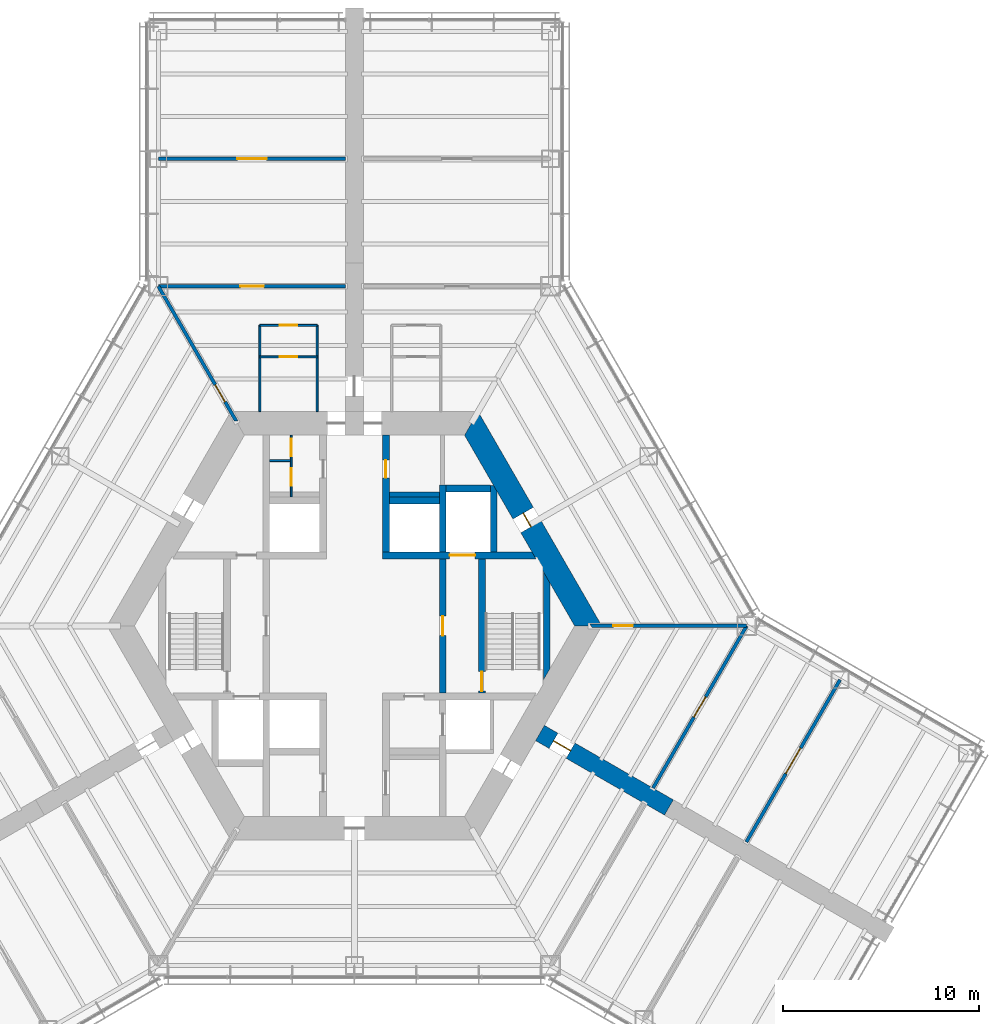
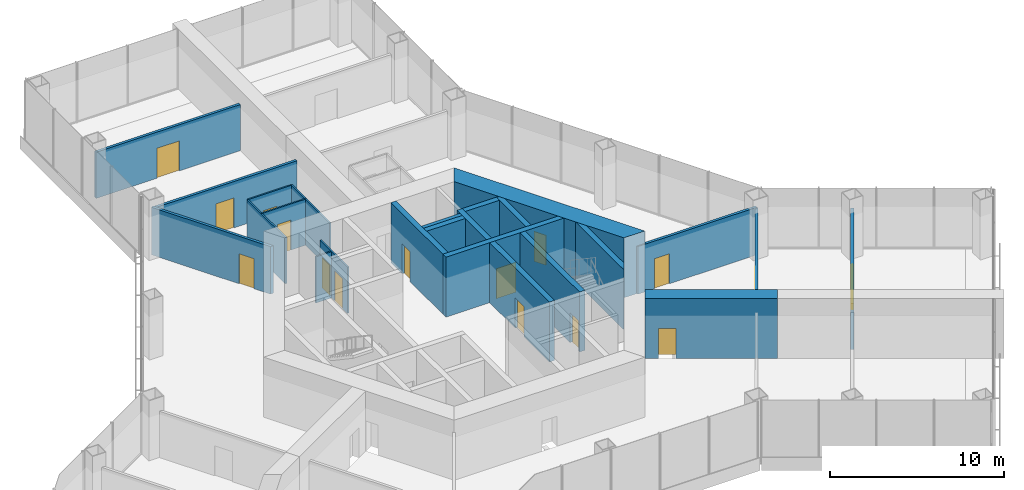
# One storey, part 12 of 15: 24 walls, 16 doors, 16 openings.
"""IFC4 building model written with IfcOpenShell, lengths in metres."""

from ifc_helpers import new_model, si_unit, direction, frame, frame_2d, origin, place, context, subcontext, project, spatial, polyline, rectangle, outline, extrude, material, layer, layer_set, type_object, element, fill, save


model = new_model("IFC4")

# Units and contexts
model_context = context("Model", 3, precision=1e-05, world=origin(), true_north=direction((0.0, 1.0)))
body_context = subcontext(model_context, "Body", "Model", "MODEL_VIEW")
ifc_project = project(units=[si_unit("LENGTHUNIT", "METRE"), si_unit("AREAUNIT", "SQUARE_METRE"), si_unit("VOLUMEUNIT", "CUBIC_METRE"), si_unit("PLANEANGLEUNIT", "RADIAN"), si_unit("MASSUNIT", "GRAM", prefix="KILO")], contexts=[model_context])

# Site, building, storey
site_placement = place(None, origin())
site = spatial("IfcSite", under=ifc_project, at=site_placement, CompositionType="ELEMENT")
building_placement = place(site_placement, origin())
building = spatial("IfcBuilding", under=site, at=building_placement, Name="Kasaneha Research Tower", CompositionType="ELEMENT")
storey_placement = place(building_placement, frame((0.0, 0.0, 39.39990234375)))
storey = spatial("IfcBuildingStorey", under=building, at=storey_placement, Name="L10", CompositionType="ELEMENT", Elevation=39.39990234375)

# Wall, opening, door
ifc_material_1 = material(Name="Concrete Fc100", Category="concrete")
ifc_layer_1 = layer(ifc_material_1, 0.35009765625)
ifc_layer_set_1 = layer_set([ifc_layer_1], Name="Core internal wall 350 Fc100")
wall_type_1 = type_object("IfcWallType", Name="Core internal wall 350 Fc100", PredefinedType="SHEAR", material=ifc_layer_set_1)
wall_1_placement = place(storey_placement, frame((1.425048828125, 3.60009765625, 0.0), z_axis=(0.0, 0.0, 1.0), x_axis=(1.0, 0.0, 0.0)))
wall_1 = element("IfcWall", 1, at=wall_1_placement, inside=storey, type_object=wall_type_1, Name="Core wall W1E L10", PredefinedType="SHEAR", context=body_context, shape_type="SweptSolid", body=[
    extrude(outline(polyline([(0.0, -0.175048828125), (3.425048828125, -0.175048828125), (4.72509765625, -0.175048828125), (7.8271484375, -0.175048828125), (7.625, 0.175048828125), (4.72509765625, 0.175048828125), (3.425048828125, 0.175048828125), (0.0, 0.175048828125), (0.0, -0.175048828125)])), origin(), (0.0, 0.0, 1.0), 4.2001953125),
])
opening_1_placement = place(wall_1_placement, frame((3.425048828125, 0.0, 0.0)))
opening_1 = element("IfcOpeningElement", 2, at=opening_1_placement, cuts=wall_1, Name="Opening LD-FL1-L10", PredefinedType="OPENING", context=body_context, shape_type="SweptSolid", body=[
    extrude(rectangle(XDim=1.300048828125, YDim=2.10009765625, at=frame_2d((0.64990234375, 1.050048828125))), frame((0.0, 0.18505859375, 0.0), z_axis=(0.0, -1.0, 0.0), x_axis=(1.0, 0.0, 0.0)), (0.0, 0.0, 1.0), 0.3701171875),
])
ifc_material_2 = material(Name="Steel", Category="steel")
door_type_1 = type_object("IfcDoorType", Name="Lift landing door 1300x2100", OperationType="DOUBLE_DOOR_SLIDING", PredefinedType="DOOR", material=ifc_material_2)
door_1_placement = place(opening_1_placement, origin())
door_1 = element("IfcDoor", 3, at=door_1_placement, inside=storey, type_object=door_type_1, Name="Landing door FL1 LD-FL1-L10", OperationType="DOUBLE_DOOR_SLIDING", OverallHeight=2.10009765625, OverallWidth=1.300048828125, PredefinedType="DOOR", context=body_context, shape_type="SweptSolid", body=[
    extrude(rectangle(XDim=1.300048828125, YDim=2.10009765625, at=frame_2d((0.64990234375, 1.050048828125))), frame((0.0, 0.02490234375, 0.0), z_axis=(0.0, -1.0, 0.0), x_axis=(1.0, 0.0, 0.0)), (0.0, 0.0, 1.0), 0.050048828125),
])
fill(opening_1, door_1)

wall_2_placement = place(storey_placement, frame((1.60009765625, 3.77490234375, 0.0), z_axis=(0.0, 0.0, 1.0), x_axis=(0.0, 1.0, 0.0)))
wall_2 = element("IfcWall", 4, at=wall_2_placement, inside=storey, type_object=wall_type_1, Name="Core wall CNE L10", PredefinedType="SHEAR", context=body_context, shape_type="SweptSolid", body=[
    extrude(rectangle(XDim=5.9501953125, YDim=0.35009765625, at=frame_2d((2.97509765625, 0.0))), origin(), (0.0, 0.0, 1.0), 4.2001953125),
])
opening_2_placement = place(wall_2_placement, frame((3.77490234375, 0.0, 0.0)))
opening_2 = element("IfcOpeningElement", 5, at=opening_2_placement, cuts=wall_2, Name="Opening L10-D14", PredefinedType="OPENING", context=body_context, shape_type="SweptSolid", body=[
    extrude(rectangle(XDim=0.89990234375, YDim=2.10009765625, at=frame_2d((0.449951171875, 1.050048828125))), frame((0.0, 0.18505859375, 0.0), z_axis=(0.0, -1.0, 0.0), x_axis=(1.0, 0.0, 0.0)), (0.0, 0.0, 1.0), 0.3701171875),
])
ifc_material_3 = material(Name="Steel", Category="steel")
door_type_2 = type_object("IfcDoorType", Name="Toilet door FD20 900x2100", OperationType="NOTDEFINED", PredefinedType="DOOR", material=ifc_material_3)
door_2_placement = place(opening_2_placement, origin())
door_2 = element("IfcDoor", 6, at=door_2_placement, inside=storey, type_object=door_type_2, Name="Women's WC door L10-D14", OperationType="SINGLE_SWING_LEFT", OverallHeight=2.10009765625, OverallWidth=0.89990234375, PredefinedType="DOOR", context=body_context, shape_type="SweptSolid", body=[
    extrude(rectangle(XDim=0.89990234375, YDim=2.10009765625, at=frame_2d((0.449951171875, 1.050048828125))), frame((0.0, 0.02490234375, 0.0), z_axis=(0.0, -1.0, 0.0), x_axis=(1.0, 0.0, 0.0)), (0.0, 0.0, 1.0), 0.050048828125),
])
fill(opening_2, door_2)

wall_3_placement = place(storey_placement, frame((4.5, -3.425048828125, 0.0), z_axis=(0.0, 0.0, 1.0), x_axis=(0.0, 1.0, 0.0)))
wall_3 = element("IfcWall", 7, at=wall_3_placement, inside=storey, type_object=wall_type_1, Name="Core wall LBE L10", PredefinedType="SHEAR", context=body_context, shape_type="SweptSolid", body=[
    extrude(rectangle(XDim=6.85009765625, YDim=0.35009765625, at=frame_2d((3.425048828125, 0.0))), origin(), (0.0, 0.0, 1.0), 4.2001953125),
])
opening_3_placement = place(wall_3_placement, frame((2.925048828125, 0.0, 0.0)))
opening_3 = element("IfcOpeningElement", 8, at=opening_3_placement, cuts=wall_3, Name="Opening L10-D08", PredefinedType="OPENING", context=body_context, shape_type="SweptSolid", body=[
    extrude(rectangle(XDim=1.0, YDim=2.10009765625, at=frame_2d((0.5, 1.050048828125))), frame((0.0, 0.18505859375, 0.0), z_axis=(0.0, -1.0, 0.0), x_axis=(1.0, 0.0, 0.0)), (0.0, 0.0, 1.0), 0.3701171875),
])
ifc_material_4 = material(Name="Steel", Category="steel")
door_type_3 = type_object("IfcDoorType", Name="Specified fire door FD60 1000x2100", OperationType="NOTDEFINED", PredefinedType="DOOR", material=ifc_material_4)
door_3_placement = place(opening_3_placement, origin())
door_3 = element("IfcDoor", 9, at=door_3_placement, inside=storey, type_object=door_type_3, Name="Lift lobby door east L10-D08", OperationType="SINGLE_SWING_LEFT", OverallHeight=2.10009765625, OverallWidth=1.0, PredefinedType="DOOR", context=body_context, shape_type="SweptSolid", body=[
    extrude(rectangle(XDim=1.0, YDim=2.10009765625, at=frame_2d((0.5, 1.050048828125))), frame((0.0, 0.02490234375, 0.0), z_axis=(0.0, -1.0, 0.0), x_axis=(1.0, 0.0, 0.0)), (0.0, 0.0, 1.0), 0.050048828125),
])
fill(opening_3, door_3)

wall_4_placement = place(storey_placement, frame((6.5, -3.425048828125, 0.0), z_axis=(0.0, 0.0, 1.0), x_axis=(0.0, 1.0, 0.0)))
wall_4 = element("IfcWall", 10, at=wall_4_placement, inside=storey, type_object=wall_type_1, Name="Core wall ANE L10", PredefinedType="SHEAR", context=body_context, shape_type="SweptSolid", body=[
    extrude(rectangle(XDim=6.85009765625, YDim=0.35009765625, at=frame_2d((3.425048828125, 0.0))), origin(), (0.0, 0.0, 1.0), 4.2001953125),
])
opening_4_placement = place(wall_4_placement, frame((0.10009765625, 0.0, 0.0)))
opening_4 = element("IfcOpeningElement", 11, at=opening_4_placement, cuts=wall_4, Name="Opening L10-D10", PredefinedType="OPENING", context=body_context, shape_type="SweptSolid", body=[
    extrude(rectangle(XDim=1.0, YDim=2.10009765625, at=frame_2d((0.5, 1.050048828125))), frame((0.0, 0.18505859375, 0.0), z_axis=(0.0, -1.0, 0.0), x_axis=(1.0, 0.0, 0.0)), (0.0, 0.0, 1.0), 0.3701171875),
])
door_4_placement = place(opening_4_placement, origin())
door_4 = element("IfcDoor", 12, at=door_4_placement, inside=storey, type_object=door_type_3, Name="Stair 1 door L10-D10", OperationType="SINGLE_SWING_LEFT", OverallHeight=2.10009765625, OverallWidth=1.0, PredefinedType="DOOR", context=body_context, shape_type="SweptSolid", body=[
    extrude(rectangle(XDim=1.0, YDim=2.10009765625, at=frame_2d((0.5, 1.050048828125))), frame((0.0, 0.02490234375, 0.0), z_axis=(0.0, -1.0, 0.0), x_axis=(1.0, 0.0, 0.0)), (0.0, 0.0, 1.0), 0.050048828125),
])
fill(opening_4, door_4)

# Walls
wall_5_placement = place(storey_placement, frame((4.5, 3.77490234375, 0.0), z_axis=(0.0, 0.0, 1.0), x_axis=(0.0, 1.0, 0.0)))
element("IfcWall", 13, at=wall_5_placement, inside=storey, type_object=wall_type_1, Name="Core wall FNE L10", PredefinedType="SHEAR", context=body_context, shape_type="SweptSolid", body=[
    extrude(rectangle(XDim=3.400146484375, YDim=0.35009765625, at=frame_2d((1.7001953125, 0.0))), origin(), (0.0, 0.0, 1.0), 4.2001953125),
])
wall_6_placement = place(storey_placement, frame((1.77490234375, 6.39990234375, 0.0), z_axis=(0.0, 0.0, 1.0), x_axis=(1.0, 0.0, 0.0)))
element("IfcWall", 14, at=wall_6_placement, inside=storey, type_object=wall_type_1, Name="Core wall N3N L10", PredefinedType="SHEAR", context=body_context, shape_type="SweptSolid", body=[
    extrude(rectangle(XDim=2.550048828125, YDim=0.35009765625, at=frame_2d((1.27490234375, 0.0))), origin(), (0.0, 0.0, 1.0), 4.2001953125),
])
wall_7_placement = place(storey_placement, frame((4.675048828125, 7.0, 0.0), z_axis=(0.0, 0.0, 1.0), x_axis=(1.0, 0.0, 0.0)))
element("IfcWall", 15, at=wall_7_placement, inside=storey, type_object=wall_type_1, Name="Core wall F1N L10", PredefinedType="SHEAR", context=body_context, shape_type="SweptSolid", body=[
    extrude(rectangle(XDim=2.25, YDim=0.35009765625, at=frame_2d((1.125, 0.0))), origin(), (0.0, 0.0, 1.0), 4.2001953125),
])
wall_8_placement = place(storey_placement, frame((7.10009765625, 3.77490234375, 0.0), z_axis=(0.0, 0.0, 1.0), x_axis=(0.0, 1.0, 0.0)))
element("IfcWall", 16, at=wall_8_placement, inside=storey, type_object=wall_type_1, Name="Core wall F1E L10", PredefinedType="SHEAR", context=body_context, shape_type="SweptSolid", body=[
    extrude(outline(polyline([(0.0, -0.175048828125), (3.07421875, -0.175048828125), (3.37744140625, 0.0), (3.39990234375, 0.175048828125), (0.0, 0.175048828125), (0.0, -0.175048828125)])), origin(), (0.0, 0.0, 1.0), 4.2001953125),
])
wall_9_placement = place(storey_placement, frame((9.807861328125, -2.462158203125, 0.0), z_axis=(0.0, 0.0, 1.0), x_axis=(0.0, 1.0, 0.0)))
element("IfcWall", 17, at=wall_9_placement, inside=storey, type_object=wall_type_1, Name="Core wall STE L10", PredefinedType="SHEAR", context=body_context, shape_type="SweptSolid", body=[
    extrude(outline(polyline([(0.30322265625, -0.175048828125), (4.62109375, -0.175048828125), (5.2275390625, 0.175048828125), (-0.30322265625, 0.175048828125), (0.30322265625, -0.175048828125)])), origin(), (0.0, 0.0, 1.0), 4.2001953125),
])

# Wall, opening, door
ifc_material_5 = material(Name="Concrete Fc100", Category="concrete")
ifc_layer_2 = layer(ifc_material_5, 1.199951171875)
ifc_layer_set_2 = layer_set([ifc_layer_2], Name="Core wall 1200 Fc100")
wall_type_2 = type_object("IfcWallType", Name="Core wall 1200 Fc100", PredefinedType="SHEAR", material=ifc_layer_set_2)
wall_10_placement = place(storey_placement, frame((11.92236328125, 0.0, 0.0), z_axis=(0.0, 0.0, 1.0), x_axis=(-0.500004296715, 0.866022923061, 0.0)))
wall_10 = element("IfcWall", 18, at=wall_10_placement, inside=storey, type_object=wall_type_2, Name="Core wall 030 L10", PredefinedType="SHEAR", context=body_context, shape_type="SweptSolid", body=[
    extrude(outline(polyline([(-0.346435546875, -0.60009765625), (5.83544921875, -0.60009765625), (6.635498046875, -0.60009765625), (12.268798828125, -0.60009765625), (11.575927734375, 0.60009765625), (6.635498046875, 0.60009765625), (5.83544921875, 0.60009765625), (0.346435546875, 0.60009765625), (-0.346435546875, -0.60009765625)])), origin(), (0.0, 0.0, 1.0), 4.2001953125),
])
opening_5_placement = place(wall_10_placement, frame((5.83544921875, 0.0, 0.0)))
opening_5 = element("IfcOpeningElement", 19, at=opening_5_placement, cuts=wall_10, Name="Opening L10-D04", PredefinedType="OPENING", context=body_context, shape_type="SweptSolid", body=[
    extrude(rectangle(XDim=0.800048828125, YDim=2.10009765625, at=frame_2d((0.39990234375, 1.050048828125))), frame((0.0, 0.60986328125, 0.0), z_axis=(0.0, -1.0, 0.0), x_axis=(1.0, 0.0, 0.0)), (0.0, 0.0, 1.0), 1.219970703125),
])
ifc_material_6 = material(Name="Steel", Category="steel")
door_type_4 = type_object("IfcDoorType", Name="Riser access door FD60 800x2100", OperationType="NOTDEFINED", PredefinedType="DOOR", material=ifc_material_6)
door_5_placement = place(opening_5_placement, origin())
door_5 = element("IfcDoor", 20, at=door_5_placement, inside=storey, type_object=door_type_4, Name="Pipe riser door L10-D04", OperationType="SINGLE_SWING_RIGHT", OverallHeight=2.10009765625, OverallWidth=0.800048828125, PredefinedType="DOOR", context=body_context, shape_type="SweptSolid", body=[
    extrude(rectangle(XDim=0.800048828125, YDim=2.10009765625, at=frame_2d((0.39990234375, 1.050048828125))), frame((0.0, 0.02490234375, 0.0), z_axis=(0.0, -1.0, 0.0), x_axis=(1.0, 0.0, 0.0)), (0.0, 0.0, 1.0), 0.050048828125),
])
fill(opening_5, door_5)

ifc_material_7 = material(Name="Gypsum board on steel studs, two layers each side", Category="steel")
ifc_layer_3 = layer(ifc_material_7, 0.175048828125)
ifc_layer_set_3 = layer_set([ifc_layer_3], Name="Laboratory fire partition 175")
wall_type_3 = type_object("IfcWallType", Name="Laboratory fire partition 175", PredefinedType="PARTITIONING", material=ifc_layer_set_3)
wall_11_placement = place(storey_placement, frame((-0.449951171875, 17.320556640625, 0.0), z_axis=(0.0, 0.0, 1.0), x_axis=(-1.0, 0.0, 0.0)))
wall_11 = element("IfcWall", 21, at=wall_11_placement, inside=storey, type_object=wall_type_3, Name="Laboratory fire partition LABA-W L10", PredefinedType="PARTITIONING", context=body_context, shape_type="SweptSolid", body=[
    extrude(rectangle(XDim=9.550048828125, YDim=0.175048828125, at=frame_2d((4.77490234375, 0.0))), origin(), (0.0, 0.0, 1.0), 3.238037109375),
])
opening_6_placement = place(wall_11_placement, frame((4.175048828125, 0.0, 0.0)))
opening_6 = element("IfcOpeningElement", 22, at=opening_6_placement, cuts=wall_11, Name="Opening L10-D31", PredefinedType="OPENING", context=body_context, shape_type="SweptSolid", body=[
    extrude(rectangle(XDim=1.199951171875, YDim=2.10009765625, at=frame_2d((0.60009765625, 1.050048828125))), frame((0.0, 0.09765625, 0.0), z_axis=(0.0, -1.0, 0.0), x_axis=(1.0, 0.0, 0.0)), (0.0, 0.0, 1.0), 0.195068359375),
])
ifc_material_8 = material(Name="Steel", Category="steel")
door_type_5 = type_object("IfcDoorType", Name="Laboratory door FD60 1200x2100", OperationType="DOUBLE_DOOR_SINGLE_SWING", PredefinedType="DOOR", material=ifc_material_8)
door_6_placement = place(opening_6_placement, origin())
door_6 = element("IfcDoor", 23, at=door_6_placement, inside=storey, type_object=door_type_5, Name="Laboratory door L10-D31", OperationType="DOUBLE_DOOR_SINGLE_SWING", OverallHeight=2.10009765625, OverallWidth=1.199951171875, PredefinedType="DOOR", context=body_context, shape_type="SweptSolid", body=[
    extrude(rectangle(XDim=1.199951171875, YDim=2.10009765625, at=frame_2d((0.60009765625, 1.050048828125))), frame((0.0, 0.02490234375, 0.0), z_axis=(0.0, -1.0, 0.0), x_axis=(1.0, 0.0, 0.0)), (0.0, 0.0, 1.0), 0.050048828125),
])
fill(opening_6, door_6)

wall_12_placement = place(storey_placement, frame((-0.449951171875, 23.820556640625, 0.0), z_axis=(0.0, 0.0, 1.0), x_axis=(-1.0, 0.0, 0.0)))
wall_12 = element("IfcWall", 24, at=wall_12_placement, inside=storey, type_object=wall_type_3, Name="Laboratory fire partition INSA-W L10", PredefinedType="PARTITIONING", context=body_context, shape_type="SweptSolid", body=[
    extrude(rectangle(XDim=9.550048828125, YDim=0.175048828125, at=frame_2d((4.77490234375, 0.0))), origin(), (0.0, 0.0, 1.0), 3.22998046875),
])
opening_7_placement = place(wall_12_placement, frame((4.02490234375, 0.0, 0.0)))
opening_7 = element("IfcOpeningElement", 25, at=opening_7_placement, cuts=wall_12, Name="Opening L10-D32", PredefinedType="OPENING", context=body_context, shape_type="SweptSolid", body=[
    extrude(rectangle(XDim=1.5, YDim=2.10009765625, at=frame_2d((0.75, 1.050048828125))), frame((0.0, 0.09765625, 0.0), z_axis=(0.0, -1.0, 0.0), x_axis=(1.0, 0.0, 0.0)), (0.0, 0.0, 1.0), 0.195068359375),
])
ifc_material_9 = material(Name="Steel", Category="steel")
door_type_6 = type_object("IfcDoorType", Name="Laboratory door FD60 1500x2100", OperationType="DOUBLE_DOOR_SINGLE_SWING", PredefinedType="DOOR", material=ifc_material_9)
door_7_placement = place(opening_7_placement, origin())
door_7 = element("IfcDoor", 26, at=door_7_placement, inside=storey, type_object=door_type_6, Name="Instrument room door L10-D32", OperationType="DOUBLE_DOOR_SINGLE_SWING", OverallHeight=2.10009765625, OverallWidth=1.5, PredefinedType="DOOR", context=body_context, shape_type="SweptSolid", body=[
    extrude(rectangle(XDim=1.5, YDim=2.10009765625, at=frame_2d((0.75, 1.050048828125))), frame((0.0, 0.02490234375, 0.0), z_axis=(0.0, -1.0, 0.0), x_axis=(1.0, 0.0, 0.0)), (0.0, 0.0, 1.0), 0.050048828125),
])
fill(opening_7, door_7)

wall_13_placement = place(storey_placement, frame((15.22509765625, -8.2705078125, 0.0), z_axis=(0.0, 0.0, 1.0), x_axis=(0.499993908199, 0.866028920859, 0.0)))
wall_13 = element("IfcWall", 27, at=wall_13_placement, inside=storey, type_object=wall_type_3, Name="Laboratory fire partition LABC-E L10", PredefinedType="PARTITIONING", context=body_context, shape_type="SweptSolid", body=[
    extrude(rectangle(XDim=9.5498046875, YDim=0.175048828125, at=frame_2d((4.77490234375, 0.0))), origin(), (0.0, 0.0, 1.0), 3.238037109375),
])
opening_8_placement = place(wall_13_placement, frame((4.175048828125, 0.0, 0.0)))
opening_8 = element("IfcOpeningElement", 28, at=opening_8_placement, cuts=wall_13, Name="Opening L10-D37", PredefinedType="OPENING", context=body_context, shape_type="SweptSolid", body=[
    extrude(rectangle(XDim=1.199951171875, YDim=2.10009765625, at=frame_2d((0.60009765625, 1.050048828125))), frame((0.0, 0.09765625, 0.0), z_axis=(0.0, -1.0, 0.0), x_axis=(1.0, 0.0, 0.0)), (0.0, 0.0, 1.0), 0.195068359375),
])
door_8_placement = place(opening_8_placement, origin())
door_8 = element("IfcDoor", 29, at=door_8_placement, inside=storey, type_object=door_type_5, Name="Laboratory door L10-D37", OperationType="DOUBLE_DOOR_SINGLE_SWING", OverallHeight=2.10009765625, OverallWidth=1.199951171875, PredefinedType="DOOR", context=body_context, shape_type="SweptSolid", body=[
    extrude(rectangle(XDim=1.199951171875, YDim=2.10009765625, at=frame_2d((0.60009765625, 1.050048828125))), frame((0.0, 0.02490234375, 0.0), z_axis=(0.0, -1.0, 0.0), x_axis=(1.0, 0.0, 0.0)), (0.0, 0.0, 1.0), 0.050048828125),
])
fill(opening_8, door_8)

wall_14_placement = place(storey_placement, frame((19.988037109375, -11.0205078125, 0.0), z_axis=(0.0, 0.0, 1.0), x_axis=(0.500013081493, 0.866017851049, 0.0)))
wall_14 = element("IfcWall", 30, at=wall_14_placement, inside=storey, type_object=wall_type_3, Name="Laboratory fire partition INSC-E L10", PredefinedType="PARTITIONING", context=body_context, shape_type="SweptSolid", body=[
    extrude(rectangle(XDim=9.550048828125, YDim=0.175048828125, at=frame_2d((4.77490234375, 0.0))), origin(), (0.0, 0.0, 1.0), 3.22998046875),
])
opening_9_placement = place(wall_14_placement, frame((4.02490234375, 0.0, 0.0)))
opening_9 = element("IfcOpeningElement", 31, at=opening_9_placement, cuts=wall_14, Name="Opening L10-D38", PredefinedType="OPENING", context=body_context, shape_type="SweptSolid", body=[
    extrude(rectangle(XDim=1.5, YDim=2.10009765625, at=frame_2d((0.75, 1.050048828125))), frame((0.0, 0.09765625, 0.0), z_axis=(0.0, -1.0, 0.0), x_axis=(1.0, 0.0, 0.0)), (0.0, 0.0, 1.0), 0.195068359375),
])
door_9_placement = place(opening_9_placement, origin())
door_9 = element("IfcDoor", 32, at=door_9_placement, inside=storey, type_object=door_type_6, Name="Instrument room door L10-D38", OperationType="DOUBLE_DOOR_SINGLE_SWING", OverallHeight=2.10009765625, OverallWidth=1.5, PredefinedType="DOOR", context=body_context, shape_type="SweptSolid", body=[
    extrude(rectangle(XDim=1.5, YDim=2.10009765625, at=frame_2d((0.75, 1.050048828125))), frame((0.0, 0.02490234375, 0.0), z_axis=(0.0, -1.0, 0.0), x_axis=(1.0, 0.0, 0.0)), (0.0, 0.0, 1.0), 0.050048828125),
])
fill(opening_9, door_9)

# Wall, openings, doors
ifc_material_10 = material(Name="Gypsum board on steel studs, one layer each side", Category="steel")
ifc_layer_4 = layer(ifc_material_10, 0.10009765625)
ifc_layer_set_4 = layer_set([ifc_layer_4], Name="Office partition 100")
wall_type_4 = type_object("IfcWallType", Name="Office partition 100", PredefinedType="PARTITIONING", material=ifc_layer_set_4)
wall_15_placement = place(storey_placement, frame((-3.22509765625, 6.574951171875, 0.0), z_axis=(0.0, 0.0, 1.0), x_axis=(0.0, 1.0, 0.0)))
wall_15 = element("IfcWall", 33, at=wall_15_placement, inside=storey, type_object=wall_type_4, Name="Office partition TBM1 L10", PredefinedType="PARTITIONING", context=body_context, shape_type="SweptSolid", body=[
    extrude(rectangle(XDim=3.150146484375, YDim=0.10009765625, at=frame_2d((1.5751953125, 0.0))), origin(), (0.0, 0.0, 1.0), 3.22998046875),
])
opening_10_placement = place(wall_15_placement, frame((0.574951171875, 0.0, 0.0)))
opening_10 = element("IfcOpeningElement", 34, at=opening_10_placement, cuts=wall_15, Name="Opening L10-D20", PredefinedType="OPENING", context=body_context, shape_type="SweptSolid", body=[
    extrude(rectangle(XDim=0.89990234375, YDim=2.10009765625, at=frame_2d((0.449951171875, 1.050048828125))), frame((0.0, 0.06005859375, 0.0), z_axis=(0.0, -1.0, 0.0), x_axis=(1.0, 0.0, 0.0)), (0.0, 0.0, 1.0), 0.1201171875),
])
opening_11_placement = place(wall_15_placement, frame((2.074951171875, 0.0, 0.0)))
opening_11 = element("IfcOpeningElement", 35, at=opening_11_placement, cuts=wall_15, Name="Opening L10-D21", PredefinedType="OPENING", context=body_context, shape_type="SweptSolid", body=[
    extrude(rectangle(XDim=0.89990234375, YDim=2.10009765625, at=frame_2d((0.449951171875, 1.050048828125))), frame((0.0, 0.06005859375, 0.0), z_axis=(0.0, -1.0, 0.0), x_axis=(1.0, 0.0, 0.0)), (0.0, 0.0, 1.0), 0.1201171875),
])
ifc_material_11 = material(Name="Steel", Category="steel")
door_type_7 = type_object("IfcDoorType", Name="Toilet lobby door FD30 900x2100", OperationType="NOTDEFINED", PredefinedType="DOOR", material=ifc_material_11)
door_10_placement = place(opening_10_placement, origin())
door_10 = element("IfcDoor", 36, at=door_10_placement, inside=storey, type_object=door_type_7, Name="Men's WC door L10-D20", OperationType="SINGLE_SWING_RIGHT", OverallHeight=2.10009765625, OverallWidth=0.89990234375, PredefinedType="DOOR", context=body_context, shape_type="SweptSolid", body=[
    extrude(rectangle(XDim=0.89990234375, YDim=2.10009765625, at=frame_2d((0.449951171875, 1.050048828125))), frame((0.0, 0.02490234375, 0.0), z_axis=(0.0, -1.0, 0.0), x_axis=(1.0, 0.0, 0.0)), (0.0, 0.0, 1.0), 0.050048828125),
])
fill(opening_10, door_10)
door_11_placement = place(opening_11_placement, origin())
door_11 = element("IfcDoor", 37, at=door_11_placement, inside=storey, type_object=door_type_7, Name="Cleaner's store door L10-D21", OperationType="SINGLE_SWING_RIGHT", OverallHeight=2.10009765625, OverallWidth=0.89990234375, PredefinedType="DOOR", context=body_context, shape_type="SweptSolid", body=[
    extrude(rectangle(XDim=0.89990234375, YDim=2.10009765625, at=frame_2d((0.449951171875, 1.050048828125))), frame((0.0, 0.02490234375, 0.0), z_axis=(0.0, -1.0, 0.0), x_axis=(1.0, 0.0, 0.0)), (0.0, 0.0, 1.0), 0.050048828125),
])
fill(opening_11, door_11)

# Wall
wall_16_placement = place(storey_placement, frame((-3.27490234375, 8.425048828125, 0.0), z_axis=(0.0, 0.0, 1.0), x_axis=(-1.0, 0.0, 0.0)))
element("IfcWall", 38, at=wall_16_placement, inside=storey, type_object=wall_type_4, Name="Office partition TBM2 L10", PredefinedType="PARTITIONING", context=body_context, shape_type="SweptSolid", body=[
    extrude(rectangle(XDim=1.050048828125, YDim=0.10009765625, at=frame_2d((0.52490234375, 0.0))), origin(), (0.0, 0.0, 1.0), 3.22998046875),
])

# Wall, opening, door
wall_17_placement = place(storey_placement, frame((-4.82861328125, 13.72509765625, 0.0), z_axis=(0.0, 0.0, 1.0), x_axis=(1.0, 0.0, 0.0)))
wall_17 = element("IfcWall", 39, at=wall_17_placement, inside=storey, type_object=wall_type_4, Name="Office partition WCAW1 L10", PredefinedType="PARTITIONING", context=body_context, shape_type="SweptSolid", body=[
    extrude(rectangle(XDim=2.9287109375, YDim=0.10009765625, at=frame_2d((1.46435546875, 0.0))), origin(), (0.0, 0.0, 1.0), 3.22998046875),
])
opening_12_placement = place(wall_17_placement, frame((1.01416015625, 0.0, 0.0)))
opening_12 = element("IfcOpeningElement", 40, at=opening_12_placement, cuts=wall_17, Name="Opening L10-D29", PredefinedType="OPENING", context=body_context, shape_type="SweptSolid", body=[
    extrude(rectangle(XDim=0.89990234375, YDim=2.10009765625, at=frame_2d((0.449951171875, 1.050048828125))), frame((0.0, 0.06005859375, 0.0), z_axis=(0.0, -1.0, 0.0), x_axis=(1.0, 0.0, 0.0)), (0.0, 0.0, 1.0), 0.1201171875),
])
door_12_placement = place(opening_12_placement, origin())
door_12 = element("IfcDoor", 41, at=door_12_placement, inside=storey, type_object=door_type_7, Name="Men's WC door L10-D29", OperationType="SINGLE_SWING_LEFT", OverallHeight=2.10009765625, OverallWidth=0.89990234375, PredefinedType="DOOR", context=body_context, shape_type="SweptSolid", body=[
    extrude(rectangle(XDim=0.89990234375, YDim=2.10009765625, at=frame_2d((0.449951171875, 1.050048828125))), frame((0.0, 0.02490234375, 0.0), z_axis=(0.0, -1.0, 0.0), x_axis=(1.0, 0.0, 0.0)), (0.0, 0.0, 1.0), 0.050048828125),
])
fill(opening_12, door_12)

wall_18_placement = place(storey_placement, frame((-4.82861328125, 15.324951171875, 0.0), z_axis=(0.0, 0.0, 1.0), x_axis=(1.0, 0.0, 0.0)))
wall_18 = element("IfcWall", 42, at=wall_18_placement, inside=storey, type_object=wall_type_4, Name="Office partition WCAW4 L10", PredefinedType="PARTITIONING", context=body_context, shape_type="SweptSolid", body=[
    extrude(rectangle(XDim=2.9287109375, YDim=0.10009765625, at=frame_2d((1.46435546875, 0.0))), origin(), (0.0, 0.0, 1.0), 3.22998046875),
])
opening_13_placement = place(wall_18_placement, frame((1.01416015625, 0.0, 0.0)))
opening_13 = element("IfcOpeningElement", 43, at=opening_13_placement, cuts=wall_18, Name="Opening L10-D30", PredefinedType="OPENING", context=body_context, shape_type="SweptSolid", body=[
    extrude(rectangle(XDim=0.89990234375, YDim=2.10009765625, at=frame_2d((0.449951171875, 1.050048828125))), frame((0.0, 0.06005859375, 0.0), z_axis=(0.0, -1.0, 0.0), x_axis=(1.0, 0.0, 0.0)), (0.0, 0.0, 1.0), 0.1201171875),
])
door_13_placement = place(opening_13_placement, origin())
door_13 = element("IfcDoor", 44, at=door_13_placement, inside=storey, type_object=door_type_7, Name="Toilet lobby door L10-D30", OperationType="SINGLE_SWING_LEFT", OverallHeight=2.10009765625, OverallWidth=0.89990234375, PredefinedType="DOOR", context=body_context, shape_type="SweptSolid", body=[
    extrude(rectangle(XDim=0.89990234375, YDim=2.10009765625, at=frame_2d((0.449951171875, 1.050048828125))), frame((0.0, 0.02490234375, 0.0), z_axis=(0.0, -1.0, 0.0), x_axis=(1.0, 0.0, 0.0)), (0.0, 0.0, 1.0), 0.050048828125),
])
fill(opening_13, door_13)

# Walls
for number, where, z_axis, x_axis, name in (
    (45, (-1.89990234375, 10.925048828125, 0.0), (0.0, 0.0, 1.0), (0.0, 1.0, 0.0), "Office partition WCAW2 L10"),
    (46, (-4.82861328125, 10.925048828125, 0.0), (0.0, 0.0, 1.0), (0.0, 1.0, 0.0), "Office partition WCAW3 L10"),
):
    element("IfcWall", number, at=place(storey_placement, frame(where, z_axis=z_axis, x_axis=x_axis)), inside=storey, type_object=wall_type_4, Name=name, PredefinedType="PARTITIONING", context=body_context, shape_type="SweptSolid", body=[
        extrude(rectangle(XDim=4.39990234375, YDim=0.10009765625, at=frame_2d((2.199951171875, 0.0))), origin(), (0.0, 0.0, 1.0), 3.22998046875),
    ])

# Wall, opening, door
ifc_material_12 = material(Name="Concrete Fc100", Category="concrete")
ifc_layer_5 = layer(ifc_material_12, 0.89990234375)
ifc_layer_set_5 = layer_set([ifc_layer_5], Name="Spine wall 900 Fc100")
wall_type_5 = type_object("IfcWallType", Name="Spine wall 900 Fc100", PredefinedType="SHEAR", material=ifc_layer_set_5)
wall_19_placement = place(storey_placement, frame((9.46142578125, -5.46240234375, 0.0), z_axis=(0.0, 0.0, 1.0), x_axis=(0.866019116917, -0.500010889016, 0.0)))
wall_19 = element("IfcWall", 47, at=wall_19_placement, inside=storey, type_object=wall_type_5, Name="Spine wall C L10", PredefinedType="SHEAR", context=body_context, shape_type="SweptSolid", body=[
    extrude(rectangle(XDim=7.595458984375, YDim=0.89990234375, at=frame_2d((3.7978515625, 0.0))), origin(), (0.0, 0.0, 1.0), 4.2001953125),
])
opening_14_placement = place(wall_19_placement, frame((0.800048828125, 0.0, 0.0)))
opening_14 = element("IfcOpeningElement", 48, at=opening_14_placement, cuts=wall_19, Name="Opening L10-D19", PredefinedType="OPENING", context=body_context, shape_type="SweptSolid", body=[
    extrude(rectangle(XDim=1.0, YDim=2.10009765625, at=frame_2d((0.5, 1.050048828125))), frame((0.0, 0.4599609375, 0.0), z_axis=(0.0, -1.0, 0.0), x_axis=(1.0, 0.0, 0.0)), (0.0, 0.0, 1.0), 0.919921875),
])
door_14_placement = place(opening_14_placement, origin())
door_14 = element("IfcDoor", 49, at=door_14_placement, inside=storey, type_object=door_type_3, Name="Spine doorway C L10-D19", OperationType="SINGLE_SWING_LEFT", OverallHeight=2.10009765625, OverallWidth=1.0, PredefinedType="DOOR", context=body_context, shape_type="SweptSolid", body=[
    extrude(rectangle(XDim=1.0, YDim=2.10009765625, at=frame_2d((0.5, 1.050048828125))), frame((0.0, 0.02490234375, 0.0), z_axis=(0.0, -1.0, 0.0), x_axis=(1.0, 0.0, 0.0)), (0.0, 0.0, 1.0), 0.050048828125),
])
fill(opening_14, door_14)

ifc_material_13 = material(Name="Gypsum board on steel studs, two layers each side", Category="steel")
ifc_layer_6 = layer(ifc_material_13, 0.175048828125)
ifc_layer_set_6 = layer_set([ifc_layer_6], Name="Tenancy fire partition 175")
wall_type_6 = type_object("IfcWallType", Name="Tenancy fire partition 175", PredefinedType="PARTITIONING", material=ifc_layer_set_6)
wall_20_placement = place(storey_placement, frame((12.070068359375, 0.0, 0.0), z_axis=(0.0, 0.0, 1.0), x_axis=(1.0, 0.0, 0.0)))
wall_20 = element("IfcWall", 50, at=wall_20_placement, inside=storey, type_object=wall_type_6, Name="Tenancy fire partition T000 L10", PredefinedType="PARTITIONING", context=body_context, shape_type="SweptSolid", body=[
    extrude(outline(polyline([(0.050537109375, -0.08740234375), (1.12939453125, -0.08740234375), (2.12939453125, -0.08740234375), (7.929931640625, -0.08740234375), (7.929931640625, 0.08740234375), (2.12939453125, 0.08740234375), (1.12939453125, 0.08740234375), (-0.050537109375, 0.08740234375), (0.050537109375, -0.08740234375)])), origin(), (0.0, 0.0, 1.0), 3.330078125),
])
opening_15_placement = place(wall_20_placement, frame((1.12939453125, 0.0, 0.0)))
opening_15 = element("IfcOpeningElement", 51, at=opening_15_placement, cuts=wall_20, Name="Opening L10-D22", PredefinedType="OPENING", context=body_context, shape_type="SweptSolid", body=[
    extrude(rectangle(XDim=1.0, YDim=2.10009765625, at=frame_2d((0.5, 1.050048828125))), frame((0.0, 0.09765625, 0.0), z_axis=(0.0, -1.0, 0.0), x_axis=(1.0, 0.0, 0.0)), (0.0, 0.0, 1.0), 0.195068359375),
])
ifc_material_14 = material(Name="Steel", Category="steel")
door_type_8 = type_object("IfcDoorType", Name="Suite entrance door FD60 1000x2100", OperationType="NOTDEFINED", PredefinedType="DOOR", material=ifc_material_14)
door_15_placement = place(opening_15_placement, origin())
door_15 = element("IfcDoor", 52, at=door_15_placement, inside=storey, type_object=door_type_8, Name="Connecting door L10-D22", OperationType="SINGLE_SWING_LEFT", OverallHeight=2.10009765625, OverallWidth=1.0, PredefinedType="DOOR", context=body_context, shape_type="SweptSolid", body=[
    extrude(rectangle(XDim=1.0, YDim=2.10009765625, at=frame_2d((0.5, 1.050048828125))), frame((0.0, 0.02490234375, 0.0), z_axis=(0.0, -1.0, 0.0), x_axis=(1.0, 0.0, 0.0)), (0.0, 0.0, 1.0), 0.050048828125),
])
fill(opening_15, door_15)

wall_21_placement = place(storey_placement, frame((-6.03515625, 10.453125, 0.0), z_axis=(0.0, 0.0, 1.0), x_axis=(-0.499993402427, 0.866029212861, 0.0)))
wall_21 = element("IfcWall", 53, at=wall_21_placement, inside=storey, type_object=wall_type_6, Name="Tenancy fire partition T120 L10", PredefinedType="PARTITIONING", context=body_context, shape_type="SweptSolid", body=[
    extrude(outline(polyline([(-0.050537109375, -0.08740234375), (1.12939453125, -0.08740234375), (2.12939453125, -0.08740234375), (7.9296875, -0.08740234375), (7.9296875, 0.08740234375), (2.12939453125, 0.08740234375), (1.12939453125, 0.08740234375), (0.050537109375, 0.08740234375), (-0.050537109375, -0.08740234375)])), origin(), (0.0, 0.0, 1.0), 3.330078125),
])
opening_16_placement = place(wall_21_placement, frame((1.12939453125, 0.0, 0.0)))
opening_16 = element("IfcOpeningElement", 54, at=opening_16_placement, cuts=wall_21, Name="Opening L10-D23", PredefinedType="OPENING", context=body_context, shape_type="SweptSolid", body=[
    extrude(rectangle(XDim=1.0, YDim=2.10009765625, at=frame_2d((0.5, 1.050048828125))), frame((0.0, 0.09765625, 0.0), z_axis=(0.0, -1.0, 0.0), x_axis=(1.0, 0.0, 0.0)), (0.0, 0.0, 1.0), 0.195068359375),
])
door_16_placement = place(opening_16_placement, origin())
door_16 = element("IfcDoor", 55, at=door_16_placement, inside=storey, type_object=door_type_8, Name="Connecting door L10-D23", OperationType="SINGLE_SWING_LEFT", OverallHeight=2.10009765625, OverallWidth=1.0, PredefinedType="DOOR", context=body_context, shape_type="SweptSolid", body=[
    extrude(rectangle(XDim=1.0, YDim=2.10009765625, at=frame_2d((0.5, 1.050048828125))), frame((0.0, 0.02490234375, 0.0), z_axis=(0.0, -1.0, 0.0), x_axis=(1.0, 0.0, 0.0)), (0.0, 0.0, 1.0), 0.050048828125),
])
fill(opening_16, door_16)

# Wall
ifc_material_15 = material(Name="Concrete block lining", Category="concrete")
ifc_layer_7 = layer(ifc_material_15, 0.25)
ifc_layer_set_7 = layer_set([ifc_layer_7], Name="WC plumbing wall 250")
wall_type_7 = type_object("IfcWallType", Name="WC plumbing wall 250", PredefinedType="PLUMBINGWALL", material=ifc_layer_set_7)
wall_22_placement = place(storey_placement, frame((1.77490234375, 6.699951171875, 0.0), z_axis=(0.0, 0.0, 1.0), x_axis=(1.0, 0.0, 0.0)))
element("IfcWall", 56, at=wall_22_placement, inside=storey, type_object=wall_type_7, Name="WC plumbing wall F L10", PredefinedType="PLUMBINGWALL", context=body_context, shape_type="SweptSolid", body=[
    extrude(rectangle(XDim=2.550048828125, YDim=0.25, at=frame_2d((1.27490234375, 0.0))), origin(), (0.0, 0.0, 1.0), 4.2001953125),
])

save(model, "model.ifc")
